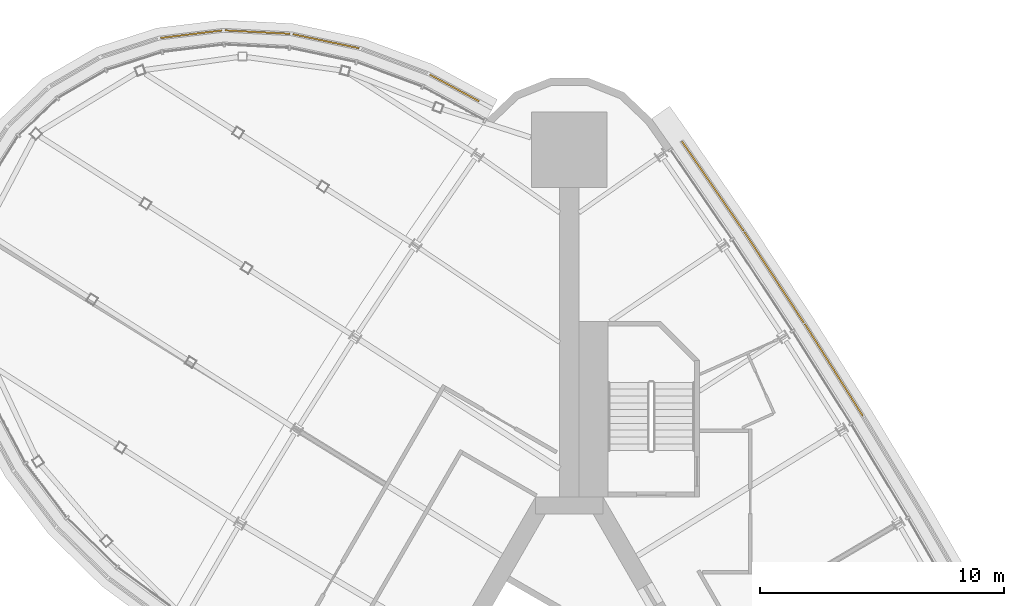
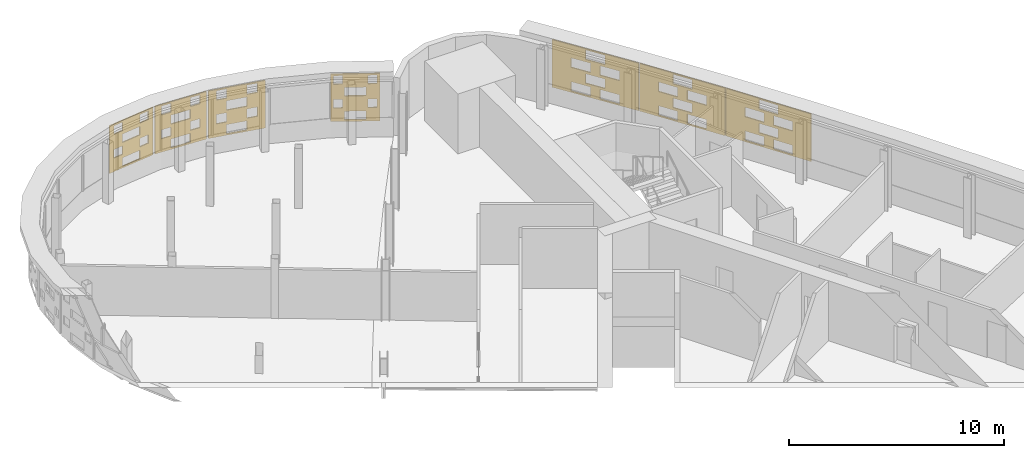
# One storey, part 17 of 17: 7 shading devices.
"""IFC4 building model written with IfcOpenShell, lengths in metres."""

import ifcopenshell
import ifcopenshell.guid

model = None  # the IFC model being written
_history = None  # IfcOwnerHistory: only IFC2X3 demands one
_inside = {}  # id of a spatial element -> (the spatial element, [elements in it])
_under = {}  # id of a project, library or spatial element -> (it, [spatial elements below it])
_declared = {}  # id of a project -> (the project, [libraries it declares])
_typed = {}  # id of a type object -> (the type object, [elements of that type])
_made_of = {}  # id of a material, layer set ... -> (it, [elements and type objects made of it])


def new_model(schema):
    """Start an empty IFC model of exactly this schema.

    Asked for "IFC4X3", IfcOpenShell would pick the latest addendum, in which some entities
    have other attributes; the version numbers below select the first issue.
    IFC2X3 requires an IfcOwnerHistory on every rooted entity: one is made here for all.
    """
    global model, _history
    if schema == "IFC4X3":
        model = ifcopenshell.file(schema_version=(4, 3, 0, 0))
    else:
        model = ifcopenshell.file(schema=schema)
    _inside.clear()
    _under.clear()
    _declared.clear()
    _typed.clear()
    _made_of.clear()
    _history = None
    if model.schema == "IFC2X3":
        org = make("IfcOrganization", Name="unknown")
        user = make(
            "IfcPersonAndOrganization",
            ThePerson=make("IfcPerson", FamilyName="unknown"),
            TheOrganization=org,
        )
        app = make(
            "IfcApplication",
            ApplicationDeveloper=org,
            Version="unknown",
            ApplicationFullName="unknown",
            ApplicationIdentifier="unknown",
        )
        _history = make(
            "IfcOwnerHistory",
            OwningUser=user,
            OwningApplication=app,
            ChangeAction="ADDED",
            CreationDate=0,
        )
    return model


def make(cls, **values):
    """One entity of the class cls with the attributes given. An attribute that is None is left unset."""
    return model.create_entity(
        cls, **{name: value for name, value in values.items() if value is not None}
    )


def rooted(cls, **values):
    """An entity with a GlobalId (a new one), such as an element, a storey or a relation."""
    return make(cls, GlobalId=ifcopenshell.guid.new(), OwnerHistory=_history, **values)


def si_unit(unit_type, name, prefix=None):
    """IfcSIUnit, for example si_unit("LENGTHUNIT", "METRE", prefix="MILLI")."""
    return make("IfcSIUnit", UnitType=unit_type, Prefix=prefix, Name=name)


def assignment(units):
    """IfcUnitAssignment: the units of a project."""
    return None if units is None else make("IfcUnitAssignment", Units=units)


def point(xyz):
    """IfcCartesianPoint."""
    return None if xyz is None else make("IfcCartesianPoint", Coordinates=xyz)


def direction(xyz):
    """IfcDirection."""
    return None if xyz is None else make("IfcDirection", DirectionRatios=xyz)


def frame(location, z_axis=None, x_axis=None):
    """IfcAxis2Placement3D, a coordinate frame: its origin and axes. An axis left out is left unset."""
    return make(
        "IfcAxis2Placement3D",
        Location=point(location),
        Axis=direction(z_axis),
        RefDirection=direction(x_axis),
    )


def origin():
    """The frame at (0, 0, 0) with its axes left unset."""
    return frame((0.0, 0.0, 0.0))


def place(relative_to, where):
    """IfcLocalPlacement: puts the frame where relative to a parent placement (None: the world)."""
    return make(
        "IfcLocalPlacement", PlacementRelTo=relative_to, RelativePlacement=where
    )


def context(
    kind, dimensions, precision=None, world=None, true_north=None, identifier=None
):
    """IfcGeometricRepresentationContext, for example the 3D "Model" context."""
    return make(
        "IfcGeometricRepresentationContext",
        ContextIdentifier=identifier,
        ContextType=kind,
        CoordinateSpaceDimension=dimensions,
        Precision=precision,
        WorldCoordinateSystem=world,
        TrueNorth=true_north,
    )


def subcontext(parent, identifier, kind, view, scale=None):
    """IfcGeometricRepresentationSubContext, for example "Body" below "Model"."""
    return make(
        "IfcGeometricRepresentationSubContext",
        ContextIdentifier=identifier,
        ContextType=kind,
        ParentContext=parent,
        TargetScale=scale,
        TargetView=view,
    )


def project(units=None, contexts=None):
    """IfcProject with its units and contexts."""
    return rooted(
        "IfcProject",
        Name="project",
        RepresentationContexts=contexts,
        UnitsInContext=assignment(units),
    )


def spatial(cls, under=None, at=None, **own):
    """A site, building, storey or space (cls), placed at a placement, below another one or the project."""
    s = rooted(cls, ObjectPlacement=at, **own)
    if under is not None:
        _under.setdefault(under.id(), (under, []))[1].append(s)
    return s


def polyline(points):
    """IfcPolyline through the points."""
    return make("IfcPolyline", Points=[point(p) for p in points])


def outline(outer, holes=None, kind="AREA"):
    """IfcArbitraryClosedProfileDef: a profile drawn as a closed curve; with holes, ...WithVoids."""
    if holes is None:
        return make("IfcArbitraryClosedProfileDef", ProfileType=kind, OuterCurve=outer)
    return make(
        "IfcArbitraryProfileDefWithVoids",
        ProfileType=kind,
        OuterCurve=outer,
        InnerCurves=holes,
    )


def extrude(swept, where, along, depth):
    """IfcExtrudedAreaSolid: the profile swept, set in the frame where, extruded along a direction by depth."""
    return make(
        "IfcExtrudedAreaSolid",
        SweptArea=swept,
        Position=where,
        ExtrudedDirection=direction(along),
        Depth=depth,
    )


def shape(context_of_items, identifier, shape_type, items):
    """IfcShapeRepresentation: the items that make up one representation, for example the "Body"."""
    return make(
        "IfcShapeRepresentation",
        ContextOfItems=context_of_items,
        RepresentationIdentifier=identifier,
        RepresentationType=shape_type,
        Items=items,
    )


def material(Name=None, Category=None):
    """IfcMaterial."""
    return make("IfcMaterial", Name=Name, Category=Category)


def layer(
    of_material, thickness, ventilated=None, Name=None, Category=None, Priority=None
):
    """IfcMaterialLayer: one layer of a wall or slab, of a material (None: an air gap)."""
    return make(
        "IfcMaterialLayer",
        Material=of_material,
        LayerThickness=thickness,
        IsVentilated=ventilated,
        Name=Name,
        Category=Category,
        Priority=Priority,
    )


def layer_set(layers, Name=None):
    """IfcMaterialLayerSet."""
    return make("IfcMaterialLayerSet", MaterialLayers=layers, LayerSetName=Name)


def material_profile(
    of_material, cross_section, Name=None, Category=None, Priority=None
):
    """IfcMaterialProfile: a cross section and its material."""
    return make(
        "IfcMaterialProfile",
        Name=Name,
        Material=of_material,
        Profile=cross_section,
        Priority=Priority,
        Category=Category,
    )


def profile_set(profiles, Name=None, composite=None):
    """IfcMaterialProfileSet."""
    return make(
        "IfcMaterialProfileSet",
        Name=Name,
        MaterialProfiles=profiles,
        CompositeProfile=composite,
    )


def made_of(thing, what):
    """Note that an element or type object is made of a material, layer set ...; save() writes the relation."""
    if what is not None:
        _made_of.setdefault(what.id(), (what, []))[1].append(thing)
    return thing


def type_object(cls, material=None, **own):
    """A type object (cls), such as IfcWallType, which elements share."""
    return made_of(rooted(cls, **own), material)


def element(
    cls,
    number,
    at=None,
    inside=None,
    cuts=None,
    type_object=None,
    material=None,
    context=None,
    identifier="Body",
    shape_type=None,
    held_by="IfcProductDefinitionShape",
    body=None,
    shapes=None,
    **own,
):
    """One element of the class cls, such as IfcWall. Its Tag is "e" and its number.

    at: its placement. inside: the storey or other place that contains it. cuts: it is an
    opening in that element (IfcRelVoidsElement). A single representation is given by context,
    identifier, shape_type and body (its items); several are given by shapes. held_by: the class
    of the entity that holds the representations. save() writes the other relations.
    """
    e = rooted(cls, Tag="e%d" % number, ObjectPlacement=at, **own)
    if body is not None:
        shapes = [shape(context, identifier, shape_type, body)]
    if shapes is not None:
        e.Representation = make(held_by, Representations=shapes)
    if inside is not None:
        _inside.setdefault(inside.id(), (inside, []))[1].append(e)
    if cuts is not None:
        rooted(
            "IfcRelVoidsElement", RelatingBuildingElement=cuts, RelatedOpeningElement=e
        )
    if type_object is not None:
        _typed.setdefault(type_object.id(), (type_object, []))[1].append(e)
    return made_of(e, material)


def aggregate(whole, parts):
    """IfcRelAggregates: a whole, such as a stair, and the parts it consists of."""
    return rooted("IfcRelAggregates", RelatingObject=whole, RelatedObjects=parts)


def save(model, path):
    """Write the relations noted so far, then the file.

    IfcRelAggregates (storeys below a building ...), IfcRelContainedInSpatialStructure (elements
    in a storey), IfcRelDefinesByType, IfcRelAssociatesMaterial and IfcRelDeclares: one each for
    every whole, place, type object, material and project.
    """
    for whole, parts in _under.values():
        aggregate(whole, parts)
    for where, things in _inside.values():
        rooted(
            "IfcRelContainedInSpatialStructure",
            RelatedElements=things,
            RelatingStructure=where,
        )
    for kind, things in _typed.values():
        rooted("IfcRelDefinesByType", RelatedObjects=things, RelatingType=kind)
    for what, things in _made_of.values():
        rooted("IfcRelAssociatesMaterial", RelatedObjects=things, RelatingMaterial=what)
    for by, libraries in _declared.values():
        rooted("IfcRelDeclares", RelatingContext=by, RelatedDefinitions=libraries)
    model.write(path)


model = new_model("IFC4")

# Units and contexts
model_context = context("Model", 3, precision=1e-05, world=origin(), true_north=direction((0.0, 1.0)))
body_context = subcontext(model_context, "Body", "Model", "MODEL_VIEW")
ifc_project = project(units=[si_unit("LENGTHUNIT", "METRE"), si_unit("AREAUNIT", "SQUARE_METRE"), si_unit("VOLUMEUNIT", "CUBIC_METRE"), si_unit("PLANEANGLEUNIT", "RADIAN"), si_unit("MASSUNIT", "GRAM", prefix="KILO")], contexts=[model_context])

# Site, building, storey
site_placement = place(None, origin())
site = spatial("IfcSite", under=ifc_project, at=site_placement, CompositionType="ELEMENT")
building_placement = place(site_placement, origin())
building = spatial("IfcBuilding", under=site, at=building_placement, Name="Noor Cloister Tower", CompositionType="ELEMENT")
storey_placement = place(building_placement, frame((0.0, 0.0, 95.10009765625)))
storey = spatial("IfcBuildingStorey", under=building, at=storey_placement, Name="L24", CompositionType="ELEMENT", Elevation=95.10009765625)

# Shading devices
ifc_material_1 = material(Name="Limestone", Category="masonry")
ifc_material_profile = material_profile(ifc_material_1, outline(polyline([(-2.22998046875, -1.35009765625), (2.22998046875, -1.35009765625), (2.22998046875, 1.35009765625), (-2.22998046875, 1.35009765625), (-2.22998046875, -1.35009765625)]), holes=[polyline([(-1.25, -1.282470703125), (-0.25, -1.282470703125), (-0.25, -0.742431640625), (-1.25, -0.742431640625), (-1.25, -1.282470703125)]), polyline([(0.25, -1.282470703125), (1.25, -1.282470703125), (1.25, -0.742431640625), (0.25, -0.742431640625), (0.25, -1.282470703125)]), polyline([(-0.5, -0.607421875), (0.5, -0.607421875), (0.5, -0.0673828125), (-0.5, -0.0673828125), (-0.5, -0.607421875)]), polyline([(-1.25, 0.0673828125), (-0.25, 0.0673828125), (-0.25, 0.607421875), (-1.25, 0.607421875), (-1.25, 0.0673828125)]), polyline([(0.25, 0.0673828125), (1.25, 0.0673828125), (1.25, 0.607421875), (0.25, 0.607421875), (0.25, 0.0673828125)]), polyline([(-0.5, 0.742431640625), (0.5, 0.742431640625), (0.5, 1.282470703125), (-0.5, 1.282470703125), (-0.5, 0.742431640625)])]), Name="Woven screen 28 percent open")
ifc_profile_set = profile_set([ifc_material_profile], Name="Limestone")
shading_device_type_1 = type_object("IfcShadingDeviceType", Name="SCREEN woven limestone 28 percent open", PredefinedType="USERDEFINED", material=ifc_profile_set)
for number, where, z_axis, x_axis, name in (
    (1, (10.8115234375, 16.651611328125, 1.849853515625), (0.846164898331, 0.53292116193, 0.0), (-0.53292116193, 0.846164898331, 0.0), "SCREEN L24 7"),
    (2, (8.367919921875, 20.440673828125, 1.849853515625), (0.836396944636, 0.548124211291, 0.0), (-0.548124211291, 0.836396944636, 0.0), "SCREEN L24 8"),
):
    element("IfcShadingDevice", number, at=place(storey_placement, frame(where, z_axis=z_axis, x_axis=x_axis)), inside=storey, type_object=shading_device_type_1, Name=name, ObjectType="SCREEN", PredefinedType="USERDEFINED", context=body_context, shape_type="SweptSolid", body=[
        extrude(outline(polyline([(-2.22998046875, -1.35009765625), (2.22998046875, -1.35009765625), (2.22998046875, 1.35009765625), (-2.22998046875, 1.35009765625), (-2.22998046875, -1.35009765625)]), holes=[polyline([(-1.25, -1.282470703125), (-0.25, -1.282470703125), (-0.25, -0.742431640625), (-1.25, -0.742431640625), (-1.25, -1.282470703125)]), polyline([(0.25, -1.282470703125), (1.25, -1.282470703125), (1.25, -0.742431640625), (0.25, -0.742431640625), (0.25, -1.282470703125)]), polyline([(-0.5, -0.607421875), (0.5, -0.607421875), (0.5, -0.0673828125), (-0.5, -0.0673828125), (-0.5, -0.607421875)]), polyline([(-1.25, 0.0673828125), (-0.25, 0.0673828125), (-0.25, 0.607421875), (-1.25, 0.607421875), (-1.25, 0.0673828125)]), polyline([(0.25, 0.0673828125), (1.25, 0.0673828125), (1.25, 0.607421875), (0.25, 0.607421875), (0.25, 0.0673828125)]), polyline([(-0.5, 0.742431640625), (0.5, 0.742431640625), (0.5, 1.282470703125), (-0.5, 1.282470703125), (-0.5, 0.742431640625)])]), origin(), (0.0, 0.0, 1.0), 0.06005859375),
    ])
shading_device_1_placement = place(storey_placement, frame((5.850341796875, 24.1806640625, 1.849853515625), z_axis=(0.823803864189, 0.566874936249, 0.0), x_axis=(-0.566874936249, 0.823803864189, 0.0)))
element("IfcShadingDevice", 3, at=shading_device_1_placement, inside=storey, type_object=shading_device_type_1, Name="SCREEN L24 9", ObjectType="SCREEN", PredefinedType="USERDEFINED", context=body_context, shape_type="SweptSolid", body=[
    extrude(outline(polyline([(-2.22998046875, -1.35009765625), (2.22998046875, -1.35009765625), (2.22998046875, 1.35009765625), (-2.22998046875, 1.35009765625), (-2.22998046875, -1.35009765625)]), holes=[polyline([(-1.25, -1.282470703125), (-0.25, -1.282470703125), (-0.25, -0.742431640625), (-1.25, -0.742431640625), (-1.25, -1.282470703125)]), polyline([(0.25, -1.282470703125), (1.25, -1.282470703125), (1.25, -0.742431640625), (0.25, -0.742431640625), (0.25, -1.282470703125)]), polyline([(-0.5, -0.607421875), (0.5, -0.607421875), (0.5, -0.0673828125), (-0.5, -0.0673828125), (-0.5, -0.607421875)]), polyline([(-1.25, 0.0673828125), (-0.25, 0.0673828125), (-0.25, 0.607421875), (-1.25, 0.607421875), (-1.25, 0.0673828125)]), polyline([(0.25, 0.0673828125), (1.25, 0.0673828125), (1.25, 0.607421875), (0.25, 0.607421875), (0.25, 0.0673828125)]), polyline([(-0.5, 0.742431640625), (0.5, 0.742431640625), (0.5, 1.282470703125), (-0.5, 1.282470703125), (-0.5, 0.742431640625)])]), origin(), (0.0, 0.0, 1.0), 0.059814453125),
])
ifc_material_2 = material(Name="Limestone", Category="masonry")
ifc_layer = layer(ifc_material_2, 0.06005859375)
ifc_layer_set = layer_set([ifc_layer], Name="SCREEN woven limestone pod 28 percent open")
shading_device_type_2 = type_object("IfcShadingDeviceType", Name="SCREEN woven limestone pod 28 percent open", PredefinedType="USERDEFINED", material=ifc_layer_set)
shading_device_2_placement = place(storey_placement, frame((-4.719970703125, 28.19384765625, 1.849853515625), z_axis=(0.476283148541, 0.879291966537, 0.0), x_axis=(-0.879291966537, 0.476283148541, 0.0)))
element("IfcShadingDevice", 4, at=shading_device_2_placement, inside=storey, type_object=shading_device_type_2, Name="SCREEN L24 1", ObjectType="SCREEN", PredefinedType="USERDEFINED", context=body_context, shape_type="SweptSolid", body=[
    extrude(outline(polyline([(-1.153564453125, -1.35009765625), (1.153564453125, -1.35009765625), (1.153564453125, 1.35009765625), (-1.153564453125, 1.35009765625), (-1.153564453125, -1.35009765625)]), holes=[polyline([(-0.5, -1.25390625), (0.5, -1.25390625), (0.5, -0.771240234375), (-0.5, -0.771240234375), (-0.5, -1.25390625)]), polyline([(0.60009765625, -0.578857421875), (1.00341796875, -0.578857421875), (1.00341796875, -0.09619140625), (0.60009765625, -0.09619140625), (0.60009765625, -0.578857421875)]), polyline([(-1.00341796875, -0.578857421875), (-0.60009765625, -0.578857421875), (-0.60009765625, -0.09619140625), (-1.00341796875, -0.09619140625), (-1.00341796875, -0.578857421875)]), polyline([(-0.5, 0.09619140625), (0.5, 0.09619140625), (0.5, 0.578857421875), (-0.5, 0.578857421875), (-0.5, 0.09619140625)]), polyline([(0.60009765625, 0.771240234375), (1.00341796875, 0.771240234375), (1.00341796875, 1.25390625), (0.60009765625, 1.25390625), (0.60009765625, 0.771240234375)]), polyline([(-1.00341796875, 0.771240234375), (-0.60009765625, 0.771240234375), (-0.60009765625, 1.25390625), (-1.00341796875, 1.25390625), (-1.00341796875, 0.771240234375)])]), origin(), (0.0, 0.0, 1.0), 0.06005859375),
])
shading_device_3_placement = place(storey_placement, frame((-9.97265625, 30.1044921875, 1.849853515625), z_axis=(0.207033313552, 0.978333893453, 0.0), x_axis=(-0.978333893453, 0.207033313552, 0.0)))
element("IfcShadingDevice", 5, at=shading_device_3_placement, inside=storey, type_object=shading_device_type_2, Name="SCREEN L24 3", ObjectType="SCREEN", PredefinedType="USERDEFINED", context=body_context, shape_type="SweptSolid", body=[
    extrude(outline(polyline([(-1.39013671875, -1.35009765625), (1.39013671875, -1.35009765625), (1.39013671875, 1.35009765625), (-1.39013671875, 1.35009765625), (-1.39013671875, -1.35009765625)]), holes=[polyline([(-0.5, -1.275146484375), (0.5, -1.275146484375), (0.5, -0.749755859375), (-0.5, -0.749755859375), (-0.5, -1.275146484375)]), polyline([(-1.0, -0.600341796875), (-0.5, -0.600341796875), (-0.5, -0.07470703125), (-1.0, -0.07470703125), (-1.0, -0.600341796875)]), polyline([(0.5, -0.600341796875), (1.0, -0.600341796875), (1.0, -0.07470703125), (0.5, -0.07470703125), (0.5, -0.600341796875)]), polyline([(-0.5, 0.07470703125), (0.5, 0.07470703125), (0.5, 0.600341796875), (-0.5, 0.600341796875), (-0.5, 0.07470703125)]), polyline([(-1.0, 0.749755859375), (-0.5, 0.749755859375), (-0.5, 1.275146484375), (-1.0, 1.275146484375), (-1.0, 0.749755859375)]), polyline([(0.5, 0.749755859375), (1.0, 0.749755859375), (1.0, 1.275146484375), (0.5, 1.275146484375), (0.5, 0.749755859375)])]), origin(), (0.0, 0.0, 1.0), 0.06005859375),
])
shading_device_4_placement = place(storey_placement, frame((-12.773193359375, 30.477783203125, 1.849853515625), z_axis=(0.052771893118, 0.998606592857, 0.0), x_axis=(-0.998606592857, 0.052771893118, 0.0)))
element("IfcShadingDevice", 6, at=shading_device_4_placement, inside=storey, type_object=shading_device_type_2, Name="SCREEN L24 4", ObjectType="SCREEN", PredefinedType="USERDEFINED", context=body_context, shape_type="SweptSolid", body=[
    extrude(outline(polyline([(-1.3330078125, -1.35009765625), (1.3330078125, -1.35009765625), (1.3330078125, 1.35009765625), (-1.3330078125, 1.35009765625), (-1.3330078125, -1.35009765625)]), holes=[polyline([(-0.5, -1.264404296875), (0.5, -1.264404296875), (0.5, -0.760498046875), (-0.5, -0.760498046875), (-0.5, -1.264404296875)]), polyline([(-1.0, -0.58935546875), (-0.5, -0.58935546875), (-0.5, -0.085693359375), (-1.0, -0.085693359375), (-1.0, -0.58935546875)]), polyline([(0.5, -0.58935546875), (1.0, -0.58935546875), (1.0, -0.085693359375), (0.5, -0.085693359375), (0.5, -0.58935546875)]), polyline([(-0.5, 0.085693359375), (0.5, 0.085693359375), (0.5, 0.58935546875), (-0.5, 0.58935546875), (-0.5, 0.085693359375)]), polyline([(-1.0, 0.760498046875), (-0.5, 0.760498046875), (-0.5, 1.264404296875), (-1.0, 1.264404296875), (-1.0, 0.760498046875)]), polyline([(0.5, 0.760498046875), (1.0, 0.760498046875), (1.0, 1.264404296875), (0.5, 1.264404296875), (0.5, 0.760498046875)])]), origin(), (0.0, 0.0, 1.0), 0.06005859375),
])
shading_device_5_placement = place(storey_placement, frame((-15.478759765625, 30.390625, 1.849853515625), z_axis=(-0.122031907108, 0.992526177815, 0.0), x_axis=(-0.992526177815, -0.122031907108, 0.0)))
element("IfcShadingDevice", 7, at=shading_device_5_placement, inside=storey, type_object=shading_device_type_2, Name="SCREEN L24 5", ObjectType="SCREEN", PredefinedType="USERDEFINED", context=body_context, shape_type="SweptSolid", body=[
    extrude(outline(polyline([(-1.266357421875, -1.35009765625), (1.266357421875, -1.35009765625), (1.266357421875, 1.35009765625), (-1.266357421875, 1.35009765625), (-1.266357421875, -1.35009765625)]), holes=[polyline([(-0.5, -1.251708984375), (0.5, -1.251708984375), (0.5, -0.773193359375), (-0.5, -0.773193359375), (-0.5, -1.251708984375)]), polyline([(-1.0, -0.576904296875), (-0.5, -0.576904296875), (-0.5, -0.09814453125), (-1.0, -0.09814453125), (-1.0, -0.576904296875)]), polyline([(0.5, -0.576904296875), (1.0, -0.576904296875), (1.0, -0.09814453125), (0.5, -0.09814453125), (0.5, -0.576904296875)]), polyline([(-0.5, 0.09814453125), (0.5, 0.09814453125), (0.5, 0.576904296875), (-0.5, 0.576904296875), (-0.5, 0.09814453125)]), polyline([(-1.0, 0.773193359375), (-0.5, 0.773193359375), (-0.5, 1.251708984375), (-1.0, 1.251708984375), (-1.0, 0.773193359375)]), polyline([(0.5, 0.773193359375), (1.0, 0.773193359375), (1.0, 1.251708984375), (0.5, 1.251708984375), (0.5, 0.773193359375)])]), origin(), (0.0, 0.0, 1.0), 0.06005859375),
])

save(model, "model.ifc")
